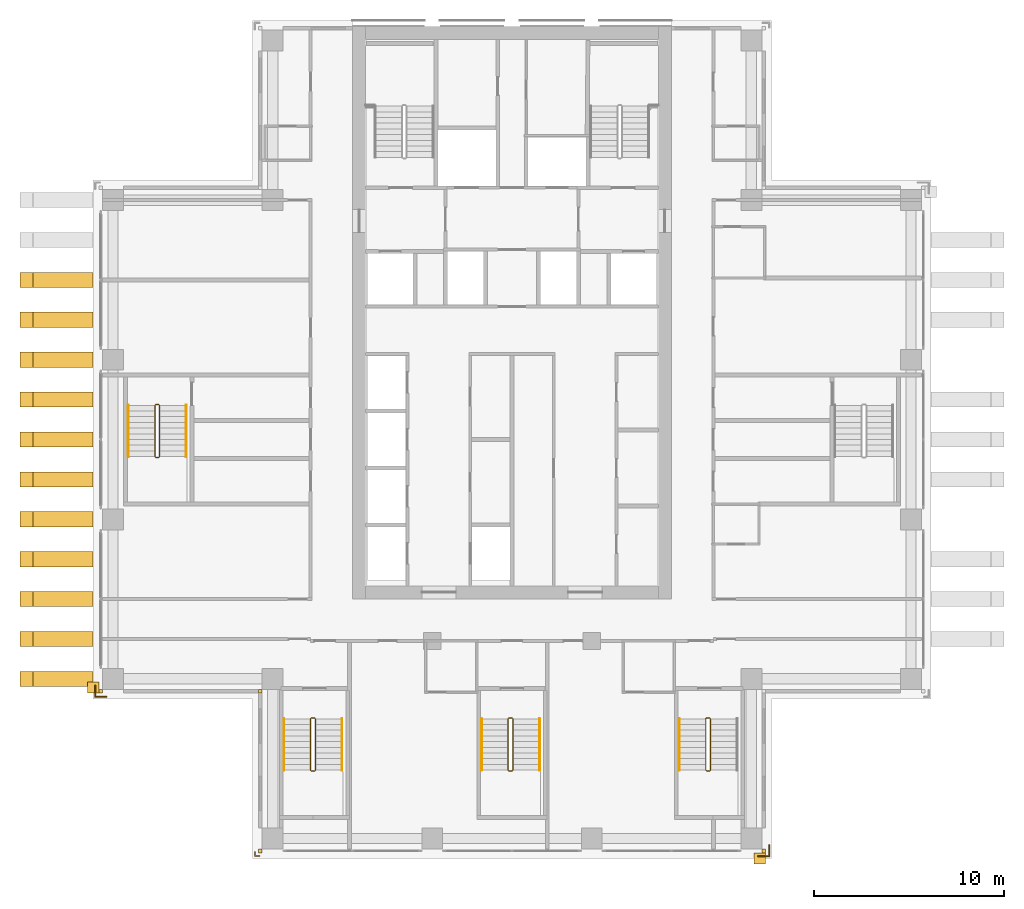
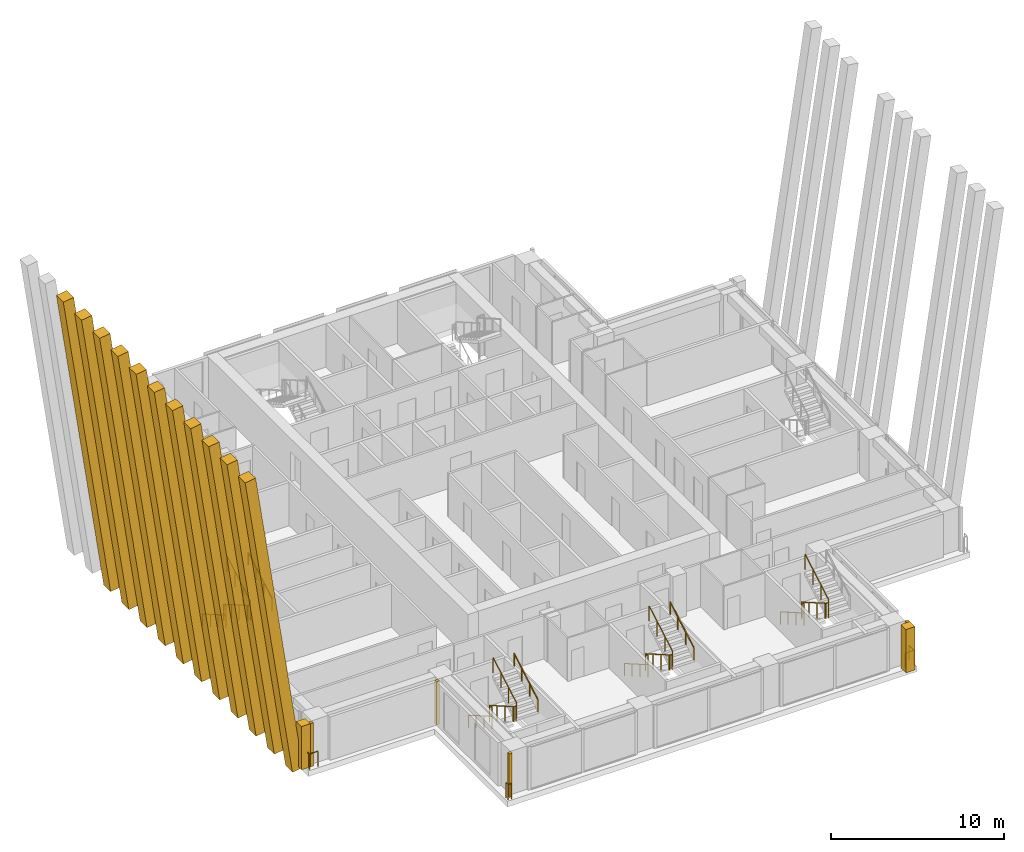
# One storey, part 13 of 15: 17 coverings, 14 railings.
"""IFC4 building model written with IfcOpenShell, lengths in metres."""

import ifcopenshell
import ifcopenshell.guid

model = None  # the IFC model being written
_history = None  # IfcOwnerHistory: only IFC2X3 demands one
_inside = {}  # id of a spatial element -> (the spatial element, [elements in it])
_under = {}  # id of a project, library or spatial element -> (it, [spatial elements below it])
_declared = {}  # id of a project -> (the project, [libraries it declares])
_typed = {}  # id of a type object -> (the type object, [elements of that type])
_made_of = {}  # id of a material, layer set ... -> (it, [elements and type objects made of it])


def new_model(schema):
    """Start an empty IFC model of exactly this schema.

    Asked for "IFC4X3", IfcOpenShell would pick the latest addendum, in which some entities
    have other attributes; the version numbers below select the first issue.
    IFC2X3 requires an IfcOwnerHistory on every rooted entity: one is made here for all.
    """
    global model, _history
    if schema == "IFC4X3":
        model = ifcopenshell.file(schema_version=(4, 3, 0, 0))
    else:
        model = ifcopenshell.file(schema=schema)
    _inside.clear()
    _under.clear()
    _declared.clear()
    _typed.clear()
    _made_of.clear()
    _history = None
    if model.schema == "IFC2X3":
        org = make("IfcOrganization", Name="unknown")
        user = make(
            "IfcPersonAndOrganization",
            ThePerson=make("IfcPerson", FamilyName="unknown"),
            TheOrganization=org,
        )
        app = make(
            "IfcApplication",
            ApplicationDeveloper=org,
            Version="unknown",
            ApplicationFullName="unknown",
            ApplicationIdentifier="unknown",
        )
        _history = make(
            "IfcOwnerHistory",
            OwningUser=user,
            OwningApplication=app,
            ChangeAction="ADDED",
            CreationDate=0,
        )
    return model


def make(cls, **values):
    """One entity of the class cls with the attributes given. An attribute that is None is left unset."""
    return model.create_entity(
        cls, **{name: value for name, value in values.items() if value is not None}
    )


def rooted(cls, **values):
    """An entity with a GlobalId (a new one), such as an element, a storey or a relation."""
    return make(cls, GlobalId=ifcopenshell.guid.new(), OwnerHistory=_history, **values)


def si_unit(unit_type, name, prefix=None):
    """IfcSIUnit, for example si_unit("LENGTHUNIT", "METRE", prefix="MILLI")."""
    return make("IfcSIUnit", UnitType=unit_type, Prefix=prefix, Name=name)


def assignment(units):
    """IfcUnitAssignment: the units of a project."""
    return None if units is None else make("IfcUnitAssignment", Units=units)


def point(xyz):
    """IfcCartesianPoint."""
    return None if xyz is None else make("IfcCartesianPoint", Coordinates=xyz)


def direction(xyz):
    """IfcDirection."""
    return None if xyz is None else make("IfcDirection", DirectionRatios=xyz)


def frame(location, z_axis=None, x_axis=None):
    """IfcAxis2Placement3D, a coordinate frame: its origin and axes. An axis left out is left unset."""
    return make(
        "IfcAxis2Placement3D",
        Location=point(location),
        Axis=direction(z_axis),
        RefDirection=direction(x_axis),
    )


def frame_2d(location, x_axis=None):
    """IfcAxis2Placement2D, a coordinate frame in the plane: its origin and x axis."""
    return make(
        "IfcAxis2Placement2D", Location=point(location), RefDirection=direction(x_axis)
    )


def origin():
    """The frame at (0, 0, 0) with its axes left unset."""
    return frame((0.0, 0.0, 0.0))


def origin_2d():
    """The frame at (0, 0) in the plane with its x axis left unset."""
    return frame_2d((0.0, 0.0))


def place(relative_to, where):
    """IfcLocalPlacement: puts the frame where relative to a parent placement (None: the world)."""
    return make(
        "IfcLocalPlacement", PlacementRelTo=relative_to, RelativePlacement=where
    )


def context(
    kind, dimensions, precision=None, world=None, true_north=None, identifier=None
):
    """IfcGeometricRepresentationContext, for example the 3D "Model" context."""
    return make(
        "IfcGeometricRepresentationContext",
        ContextIdentifier=identifier,
        ContextType=kind,
        CoordinateSpaceDimension=dimensions,
        Precision=precision,
        WorldCoordinateSystem=world,
        TrueNorth=true_north,
    )


def subcontext(parent, identifier, kind, view, scale=None):
    """IfcGeometricRepresentationSubContext, for example "Body" below "Model"."""
    return make(
        "IfcGeometricRepresentationSubContext",
        ContextIdentifier=identifier,
        ContextType=kind,
        ParentContext=parent,
        TargetScale=scale,
        TargetView=view,
    )


def project(units=None, contexts=None):
    """IfcProject with its units and contexts."""
    return rooted(
        "IfcProject",
        Name="project",
        RepresentationContexts=contexts,
        UnitsInContext=assignment(units),
    )


def spatial(cls, under=None, at=None, **own):
    """A site, building, storey or space (cls), placed at a placement, below another one or the project."""
    s = rooted(cls, ObjectPlacement=at, **own)
    if under is not None:
        _under.setdefault(under.id(), (under, []))[1].append(s)
    return s


def polyline(points):
    """IfcPolyline through the points."""
    return make("IfcPolyline", Points=[point(p) for p in points])


def profile(cls, at=None, kind="AREA", **sizes):
    """A parametric profile (cls). Its sizes go by their IFC names, for example OverallWidth=200.0."""
    return make(cls, ProfileType=kind, Position=at, **sizes)


def rectangle(**sizes):
    """IfcRectangleProfileDef."""
    return profile("IfcRectangleProfileDef", **sizes)


def outline(outer, holes=None, kind="AREA"):
    """IfcArbitraryClosedProfileDef: a profile drawn as a closed curve; with holes, ...WithVoids."""
    if holes is None:
        return make("IfcArbitraryClosedProfileDef", ProfileType=kind, OuterCurve=outer)
    return make(
        "IfcArbitraryProfileDefWithVoids",
        ProfileType=kind,
        OuterCurve=outer,
        InnerCurves=holes,
    )


def extrude(swept, where, along, depth):
    """IfcExtrudedAreaSolid: the profile swept, set in the frame where, extruded along a direction by depth."""
    return make(
        "IfcExtrudedAreaSolid",
        SweptArea=swept,
        Position=where,
        ExtrudedDirection=direction(along),
        Depth=depth,
    )


def shape(context_of_items, identifier, shape_type, items):
    """IfcShapeRepresentation: the items that make up one representation, for example the "Body"."""
    return make(
        "IfcShapeRepresentation",
        ContextOfItems=context_of_items,
        RepresentationIdentifier=identifier,
        RepresentationType=shape_type,
        Items=items,
    )


def material(Name=None, Category=None):
    """IfcMaterial."""
    return make("IfcMaterial", Name=Name, Category=Category)


def material_profile(
    of_material, cross_section, Name=None, Category=None, Priority=None
):
    """IfcMaterialProfile: a cross section and its material."""
    return make(
        "IfcMaterialProfile",
        Name=Name,
        Material=of_material,
        Profile=cross_section,
        Priority=Priority,
        Category=Category,
    )


def profile_set(profiles, Name=None, composite=None):
    """IfcMaterialProfileSet."""
    return make(
        "IfcMaterialProfileSet",
        Name=Name,
        MaterialProfiles=profiles,
        CompositeProfile=composite,
    )


def made_of(thing, what):
    """Note that an element or type object is made of a material, layer set ...; save() writes the relation."""
    if what is not None:
        _made_of.setdefault(what.id(), (what, []))[1].append(thing)
    return thing


def type_object(cls, material=None, **own):
    """A type object (cls), such as IfcWallType, which elements share."""
    return made_of(rooted(cls, **own), material)


def element(
    cls,
    number,
    at=None,
    inside=None,
    cuts=None,
    type_object=None,
    material=None,
    context=None,
    identifier="Body",
    shape_type=None,
    held_by="IfcProductDefinitionShape",
    body=None,
    shapes=None,
    **own,
):
    """One element of the class cls, such as IfcWall. Its Tag is "e" and its number.

    at: its placement. inside: the storey or other place that contains it. cuts: it is an
    opening in that element (IfcRelVoidsElement). A single representation is given by context,
    identifier, shape_type and body (its items); several are given by shapes. held_by: the class
    of the entity that holds the representations. save() writes the other relations.
    """
    e = rooted(cls, Tag="e%d" % number, ObjectPlacement=at, **own)
    if body is not None:
        shapes = [shape(context, identifier, shape_type, body)]
    if shapes is not None:
        e.Representation = make(held_by, Representations=shapes)
    if inside is not None:
        _inside.setdefault(inside.id(), (inside, []))[1].append(e)
    if cuts is not None:
        rooted(
            "IfcRelVoidsElement", RelatingBuildingElement=cuts, RelatedOpeningElement=e
        )
    if type_object is not None:
        _typed.setdefault(type_object.id(), (type_object, []))[1].append(e)
    return made_of(e, material)


def aggregate(whole, parts):
    """IfcRelAggregates: a whole, such as a stair, and the parts it consists of."""
    return rooted("IfcRelAggregates", RelatingObject=whole, RelatedObjects=parts)


def save(model, path):
    """Write the relations noted so far, then the file.

    IfcRelAggregates (storeys below a building ...), IfcRelContainedInSpatialStructure (elements
    in a storey), IfcRelDefinesByType, IfcRelAssociatesMaterial and IfcRelDeclares: one each for
    every whole, place, type object, material and project.
    """
    for whole, parts in _under.values():
        aggregate(whole, parts)
    for where, things in _inside.values():
        rooted(
            "IfcRelContainedInSpatialStructure",
            RelatedElements=things,
            RelatingStructure=where,
        )
    for kind, things in _typed.values():
        rooted("IfcRelDefinesByType", RelatedObjects=things, RelatingType=kind)
    for what, things in _made_of.values():
        rooted("IfcRelAssociatesMaterial", RelatedObjects=things, RelatingMaterial=what)
    for by, libraries in _declared.values():
        rooted("IfcRelDeclares", RelatingContext=by, RelatedDefinitions=libraries)
    model.write(path)


model = new_model("IFC4")

# Units and contexts
model_context = context("Model", 3, precision=1e-05, world=origin(), true_north=direction((0.0, 1.0)))
body_context = subcontext(model_context, "Body", "Model", "MODEL_VIEW")
ifc_project = project(units=[si_unit("LENGTHUNIT", "METRE"), si_unit("AREAUNIT", "SQUARE_METRE"), si_unit("VOLUMEUNIT", "CUBIC_METRE"), si_unit("PLANEANGLEUNIT", "RADIAN"), si_unit("MASSUNIT", "GRAM", prefix="KILO")], contexts=[model_context])

# Site, building, storey
site_placement = place(None, origin())
site = spatial("IfcSite", under=ifc_project, at=site_placement, CompositionType="ELEMENT")
building_placement = place(site_placement, origin())
building = spatial("IfcBuilding", under=site, at=building_placement, Name="Vermilion Ogive Tower", CompositionType="ELEMENT")
storey_placement = place(building_placement, frame((0.0, 0.0, 153.800048828125)))
storey = spatial("IfcBuildingStorey", under=building, at=storey_placement, Name="L39", CompositionType="ELEMENT", Elevation=153.800048828125)

# Railings
ifc_material_1 = material(Name="Stainless steel", Category="steel")
railing_type_1 = type_object("IfcRailingType", Name="Slab edge guard SG1", PredefinedType="GUARDRAIL", material=ifc_material_1)
railing_1_placement = place(storey_placement, frame((-13.300048828125, -21.929931640625, 0.0)))
element("IfcRailing", 1, at=railing_1_placement, inside=storey, type_object=railing_type_1, Name="L39 slab corner guard", PredefinedType="GUARDRAIL", context=body_context, shape_type="SweptSolid", body=[
    extrude(rectangle(XDim=0.050048828125, YDim=0.050048828125, at=origin_2d()), frame((0.0, 0.0, 1.0751953125), z_axis=(-1.0, 0.0, 0.0), x_axis=(0.0, -1.0, 0.0)), (0.0, 0.0, 1.0), 0.22998046875),
    extrude(rectangle(XDim=0.050048828125, YDim=0.050048828125, at=origin_2d()), frame((-0.22998046875, 0.0, 1.0751953125), z_axis=(0.0, 1.0, 0.0), x_axis=(-1.0, 0.0, 0.0)), (0.0, 0.0, 1.0), 0.22998046875),
    extrude(rectangle(XDim=0.050048828125, YDim=0.050048828125, at=origin_2d()), origin(), (0.0, 0.0, 1.0), 1.050048828125),
    extrude(rectangle(XDim=0.050048828125, YDim=0.050048828125, at=origin_2d()), frame((-0.22998046875, 0.0, 0.0)), (0.0, 0.0, 1.0), 1.050048828125),
    extrude(rectangle(XDim=0.050048828125, YDim=0.050048828125, at=origin_2d()), frame((-0.22998046875, 0.22998046875, 0.0)), (0.0, 0.0, 1.0), 1.050048828125),
])
railing_2_placement = place(storey_placement, frame((12.949951171875, -21.929931640625, 0.0)))
element("IfcRailing", 2, at=railing_2_placement, inside=storey, type_object=railing_type_1, Name="L39 slab corner guard", PredefinedType="GUARDRAIL", context=body_context, shape_type="SweptSolid", body=[
    extrude(rectangle(XDim=0.050048828125, YDim=0.050048828125, at=origin_2d()), frame((0.0, 0.0, 1.0751953125), z_axis=(1.0, 0.0, 0.0), x_axis=(0.0, 1.0, 0.0)), (0.0, 0.0, 1.0), 0.580078125),
    extrude(rectangle(XDim=0.050048828125, YDim=0.050048828125, at=origin_2d()), frame((0.580078125, 0.0, 1.0751953125), z_axis=(0.0, 1.0, 0.0), x_axis=(-1.0, 0.0, 0.0)), (0.0, 0.0, 1.0), 0.579833984375),
    extrude(rectangle(XDim=0.050048828125, YDim=0.050048828125, at=origin_2d()), origin(), (0.0, 0.0, 1.0), 1.050048828125),
    extrude(rectangle(XDim=0.050048828125, YDim=0.050048828125, at=origin_2d()), frame((0.580078125, 0.0, 0.0)), (0.0, 0.0, 1.0), 1.050048828125),
    extrude(rectangle(XDim=0.050048828125, YDim=0.050048828125, at=origin_2d()), frame((0.580078125, 0.579833984375, 0.0)), (0.0, 0.0, 1.0), 1.050048828125),
])
railing_3_placement = place(storey_placement, frame((-21.929931640625, -12.949951171875, 0.0)))
element("IfcRailing", 3, at=railing_3_placement, inside=storey, type_object=railing_type_1, Name="L39 slab corner guard", PredefinedType="GUARDRAIL", context=body_context, shape_type="SweptSolid", body=[
    extrude(rectangle(XDim=0.050048828125, YDim=0.050048828125, at=origin_2d()), frame((0.0, 0.0, 1.0751953125), z_axis=(0.0, -1.0, 0.0), x_axis=(1.0, 0.0, 0.0)), (0.0, 0.0, 1.0), 0.580078125),
    extrude(rectangle(XDim=0.050048828125, YDim=0.050048828125, at=origin_2d()), frame((0.0, -0.580078125, 1.0751953125), z_axis=(1.0, 0.0, 0.0), x_axis=(0.0, 1.0, 0.0)), (0.0, 0.0, 1.0), 0.579833984375),
    extrude(rectangle(XDim=0.050048828125, YDim=0.050048828125, at=origin_2d()), origin(), (0.0, 0.0, 1.0), 1.050048828125),
    extrude(rectangle(XDim=0.050048828125, YDim=0.050048828125, at=origin_2d()), frame((0.0, -0.580078125, 0.0)), (0.0, 0.0, 1.0), 1.050048828125),
    extrude(rectangle(XDim=0.050048828125, YDim=0.050048828125, at=origin_2d()), frame((0.579833984375, -0.580078125, 0.0)), (0.0, 0.0, 1.0), 1.050048828125),
])
ifc_material_2 = material(Name="Steel S355 painted", Category="steel")
railing_type_2 = type_object("IfcRailingType", Name="Stair guard 1100", PredefinedType="GUARDRAIL", material=ifc_material_2)
railing_4_placement = place(storey_placement, frame((-10.39990234375, -14.64990234375, 0.0)))
element("IfcRailing", 4, at=railing_4_placement, inside=storey, type_object=railing_type_2, Name="L39 ST3 stair guard 4", PredefinedType="GUARDRAIL", context=body_context, shape_type="SweptSolid", body=[
    extrude(rectangle(XDim=0.048095703125, YDim=0.048095703125, at=origin_2d()), frame((0.0, 0.0, 1.076171875), z_axis=(-1.0, 0.0, 0.0), x_axis=(0.0, -1.0, 0.0)), (0.0, 0.0, 1.0), 0.150146484375),
    extrude(rectangle(XDim=0.048095703125, YDim=0.048095703125, at=origin_2d()), frame((-0.150146484375, 0.0, 1.076171875), z_axis=(-0.268603158521, -0.268603158521, 0.925043072762), x_axis=(0.707106781187, -0.707106781187, 0.0)), (0.0, 0.0, 1.0), 0.186279296875),
    extrude(rectangle(XDim=0.048095703125, YDim=0.048095703125, at=origin_2d()), frame((-0.2001953125, -0.050048828125, 1.24853515625), z_axis=(0.0, -0.866903762492, 0.498475542607), x_axis=(1.0, 0.0, 0.0)), (0.0, 0.0, 1.0), 3.114501953125),
    extrude(rectangle(XDim=0.048095703125, YDim=0.048095703125, at=origin_2d()), frame((-0.2001953125, -2.75, 2.80078125), z_axis=(0.707106781187, -0.707106781187, 0.0), x_axis=(0.707106781187, 0.707106781187, 0.0)), (0.0, 0.0, 1.0), 0.07080078125),
    extrude(rectangle(XDim=0.048095703125, YDim=0.048095703125, at=origin_2d()), frame((-0.150146484375, -2.800048828125, 2.80078125), z_axis=(1.0, 0.0, 0.0), x_axis=(0.0, 1.0, 0.0)), (0.0, 0.0, 1.0), 0.150146484375),
    extrude(rectangle(XDim=0.048095703125, YDim=0.048095703125, at=origin_2d()), frame((0.0, -2.800048828125, 2.80078125), z_axis=(0.267062837333, 0.268371968888, 0.925556009775), x_axis=(-0.708833529934, 0.705375805398, 0.0)), (0.0, 0.0, 1.0), 0.1865234375),
    extrude(rectangle(XDim=0.048095703125, YDim=0.048095703125, at=origin_2d()), frame((0.0498046875, -2.75, 2.9736328125), z_axis=(0.0, 0.866903762492, 0.498475542607), x_axis=(-1.0, 0.0, 0.0)), (0.0, 0.0, 1.0), 3.114501953125),
    extrude(rectangle(XDim=0.0419921875, YDim=0.0419921875, at=origin_2d()), origin(), (0.0, 0.0, 1.0), 1.052001953125),
    extrude(rectangle(XDim=0.0419921875, YDim=0.0419921875, at=origin_2d()), frame((-0.150146484375, 0.0, 0.0)), (0.0, 0.0, 1.0), 1.052001953125),
    extrude(rectangle(XDim=0.0419921875, YDim=0.0419921875, at=origin_2d()), frame((-0.2001953125, -0.050048828125, 0.17236328125)), (0.0, 0.0, 1.0), 1.052001953125),
    extrude(rectangle(XDim=0.0419921875, YDim=0.0419921875, at=origin_2d()), frame((-0.2001953125, -0.949951171875, 0.68994140625)), (0.0, 0.0, 1.0), 1.052001953125),
    extrude(rectangle(XDim=0.0419921875, YDim=0.0419921875, at=origin_2d()), frame((-0.2001953125, -1.85009765625, 1.207275390625)), (0.0, 0.0, 1.0), 1.052001953125),
    extrude(rectangle(XDim=0.0419921875, YDim=0.0419921875, at=origin_2d()), frame((-0.2001953125, -2.75, 1.724853515625)), (0.0, 0.0, 1.0), 1.052001953125),
    extrude(rectangle(XDim=0.0419921875, YDim=0.0419921875, at=origin_2d()), frame((-0.150146484375, -2.800048828125, 1.724853515625)), (0.0, 0.0, 1.0), 1.052001953125),
    extrude(rectangle(XDim=0.0419921875, YDim=0.0419921875, at=origin_2d()), frame((0.0, -2.800048828125, 1.724853515625)), (0.0, 0.0, 1.0), 1.052001953125),
    extrude(rectangle(XDim=0.0419921875, YDim=0.0419921875, at=origin_2d()), frame((0.0498046875, -2.75, 1.8974609375)), (0.0, 0.0, 1.0), 1.052001953125),
    extrude(rectangle(XDim=0.0419921875, YDim=0.0419921875, at=origin_2d()), frame((0.0498046875, -1.85009765625, 2.4150390625)), (0.0, 0.0, 1.0), 1.052001953125),
    extrude(rectangle(XDim=0.0419921875, YDim=0.0419921875, at=origin_2d()), frame((0.0498046875, -0.949951171875, 2.932373046875)), (0.0, 0.0, 1.0), 1.052001953125),
    extrude(rectangle(XDim=0.0419921875, YDim=0.0419921875, at=origin_2d()), frame((0.0498046875, -0.050048828125, 3.449951171875)), (0.0, 0.0, 1.0), 1.052001953125),
])
railing_5_placement = place(storey_placement, frame((0.0, -14.64990234375, 0.0)))
element("IfcRailing", 5, at=railing_5_placement, inside=storey, type_object=railing_type_2, Name="L39 ST4 stair guard 4", PredefinedType="GUARDRAIL", context=body_context, shape_type="SweptSolid", body=[
    extrude(rectangle(XDim=0.048095703125, YDim=0.048095703125, at=origin_2d()), frame((0.0, 0.0, 1.076171875), z_axis=(-1.0, 0.0, 0.0), x_axis=(0.0, -1.0, 0.0)), (0.0, 0.0, 1.0), 0.14990234375),
    extrude(rectangle(XDim=0.048095703125, YDim=0.048095703125, at=origin_2d()), frame((-0.14990234375, 0.0, 1.076171875), z_axis=(-0.268603158521, -0.268603158521, 0.925043072762), x_axis=(0.707106781187, -0.707106781187, 0.0)), (0.0, 0.0, 1.0), 0.186279296875),
    extrude(rectangle(XDim=0.048095703125, YDim=0.048095703125, at=origin_2d()), frame((-0.199951171875, -0.050048828125, 1.24853515625), z_axis=(0.0, -0.866903762492, 0.498475542607), x_axis=(1.0, 0.0, 0.0)), (0.0, 0.0, 1.0), 3.114501953125),
    extrude(rectangle(XDim=0.048095703125, YDim=0.048095703125, at=origin_2d()), frame((-0.199951171875, -2.75, 2.80078125), z_axis=(0.707106781187, -0.707106781187, 0.0), x_axis=(0.707106781187, 0.707106781187, 0.0)), (0.0, 0.0, 1.0), 0.07080078125),
    extrude(rectangle(XDim=0.048095703125, YDim=0.048095703125, at=origin_2d()), frame((-0.14990234375, -2.800048828125, 2.80078125), z_axis=(1.0, 0.0, 0.0), x_axis=(0.0, 1.0, 0.0)), (0.0, 0.0, 1.0), 0.14990234375),
    extrude(rectangle(XDim=0.048095703125, YDim=0.048095703125, at=origin_2d()), frame((0.0, -2.800048828125, 2.80078125), z_axis=(0.268277960024, 0.268277960024, 0.925231793839), x_axis=(-0.707106781187, 0.707106781187, 0.0)), (0.0, 0.0, 1.0), 0.1865234375),
    extrude(rectangle(XDim=0.048095703125, YDim=0.048095703125, at=origin_2d()), frame((0.050048828125, -2.75, 2.9736328125), z_axis=(0.0, 0.866903762492, 0.498475542607), x_axis=(-1.0, 0.0, 0.0)), (0.0, 0.0, 1.0), 3.114501953125),
    extrude(rectangle(XDim=0.0419921875, YDim=0.0419921875, at=origin_2d()), origin(), (0.0, 0.0, 1.0), 1.052001953125),
    extrude(rectangle(XDim=0.0419921875, YDim=0.0419921875, at=origin_2d()), frame((-0.14990234375, 0.0, 0.0)), (0.0, 0.0, 1.0), 1.052001953125),
    extrude(rectangle(XDim=0.0419921875, YDim=0.0419921875, at=origin_2d()), frame((-0.199951171875, -0.050048828125, 0.17236328125)), (0.0, 0.0, 1.0), 1.052001953125),
    extrude(rectangle(XDim=0.0419921875, YDim=0.0419921875, at=origin_2d()), frame((-0.199951171875, -0.949951171875, 0.68994140625)), (0.0, 0.0, 1.0), 1.052001953125),
    extrude(rectangle(XDim=0.0419921875, YDim=0.0419921875, at=origin_2d()), frame((-0.199951171875, -1.85009765625, 1.207275390625)), (0.0, 0.0, 1.0), 1.052001953125),
    extrude(rectangle(XDim=0.0419921875, YDim=0.0419921875, at=origin_2d()), frame((-0.199951171875, -2.75, 1.724853515625)), (0.0, 0.0, 1.0), 1.052001953125),
    extrude(rectangle(XDim=0.0419921875, YDim=0.0419921875, at=origin_2d()), frame((-0.14990234375, -2.800048828125, 1.724853515625)), (0.0, 0.0, 1.0), 1.052001953125),
    extrude(rectangle(XDim=0.0419921875, YDim=0.0419921875, at=origin_2d()), frame((0.0, -2.800048828125, 1.724853515625)), (0.0, 0.0, 1.0), 1.052001953125),
    extrude(rectangle(XDim=0.0419921875, YDim=0.0419921875, at=origin_2d()), frame((0.050048828125, -2.75, 1.8974609375)), (0.0, 0.0, 1.0), 1.052001953125),
    extrude(rectangle(XDim=0.0419921875, YDim=0.0419921875, at=origin_2d()), frame((0.050048828125, -1.85009765625, 2.4150390625)), (0.0, 0.0, 1.0), 1.052001953125),
    extrude(rectangle(XDim=0.0419921875, YDim=0.0419921875, at=origin_2d()), frame((0.050048828125, -0.949951171875, 2.932373046875)), (0.0, 0.0, 1.0), 1.052001953125),
    extrude(rectangle(XDim=0.0419921875, YDim=0.0419921875, at=origin_2d()), frame((0.050048828125, -0.050048828125, 3.449951171875)), (0.0, 0.0, 1.0), 1.052001953125),
])
railing_6_placement = place(storey_placement, frame((10.39990234375, -14.64990234375, 0.0)))
element("IfcRailing", 6, at=railing_6_placement, inside=storey, type_object=railing_type_2, Name="L39 ST5 stair guard 4", PredefinedType="GUARDRAIL", context=body_context, shape_type="SweptSolid", body=[
    extrude(rectangle(XDim=0.048095703125, YDim=0.048095703125, at=origin_2d()), frame((0.0, 0.0, 1.076171875), z_axis=(-1.0, 0.0, 0.0), x_axis=(0.0, -1.0, 0.0)), (0.0, 0.0, 1.0), 0.14990234375),
    extrude(rectangle(XDim=0.048095703125, YDim=0.048095703125, at=origin_2d()), frame((-0.14990234375, 0.0, 1.076171875), z_axis=(-0.268603158521, -0.268603158521, 0.925043072762), x_axis=(0.707106781187, -0.707106781187, 0.0)), (0.0, 0.0, 1.0), 0.186279296875),
    extrude(rectangle(XDim=0.048095703125, YDim=0.048095703125, at=origin_2d()), frame((-0.199951171875, -0.050048828125, 1.24853515625), z_axis=(0.0, -0.866903762492, 0.498475542607), x_axis=(1.0, 0.0, 0.0)), (0.0, 0.0, 1.0), 3.114501953125),
    extrude(rectangle(XDim=0.048095703125, YDim=0.048095703125, at=origin_2d()), frame((-0.199951171875, -2.75, 2.80078125), z_axis=(0.707106781187, -0.707106781187, 0.0), x_axis=(0.707106781187, 0.707106781187, 0.0)), (0.0, 0.0, 1.0), 0.07080078125),
    extrude(rectangle(XDim=0.048095703125, YDim=0.048095703125, at=origin_2d()), frame((-0.14990234375, -2.800048828125, 2.80078125), z_axis=(1.0, 0.0, 0.0), x_axis=(0.0, 1.0, 0.0)), (0.0, 0.0, 1.0), 0.14990234375),
    extrude(rectangle(XDim=0.048095703125, YDim=0.048095703125, at=origin_2d()), frame((0.0, -2.800048828125, 2.80078125), z_axis=(0.268277960024, 0.268277960024, 0.925231793839), x_axis=(-0.707106781187, 0.707106781187, 0.0)), (0.0, 0.0, 1.0), 0.1865234375),
    extrude(rectangle(XDim=0.048095703125, YDim=0.048095703125, at=origin_2d()), frame((0.050048828125, -2.75, 2.9736328125), z_axis=(0.0, 0.866903762492, 0.498475542607), x_axis=(-1.0, 0.0, 0.0)), (0.0, 0.0, 1.0), 3.114501953125),
    extrude(rectangle(XDim=0.0419921875, YDim=0.0419921875, at=origin_2d()), origin(), (0.0, 0.0, 1.0), 1.052001953125),
    extrude(rectangle(XDim=0.0419921875, YDim=0.0419921875, at=origin_2d()), frame((-0.14990234375, 0.0, 0.0)), (0.0, 0.0, 1.0), 1.052001953125),
    extrude(rectangle(XDim=0.0419921875, YDim=0.0419921875, at=origin_2d()), frame((-0.199951171875, -0.050048828125, 0.17236328125)), (0.0, 0.0, 1.0), 1.052001953125),
    extrude(rectangle(XDim=0.0419921875, YDim=0.0419921875, at=origin_2d()), frame((-0.199951171875, -0.949951171875, 0.68994140625)), (0.0, 0.0, 1.0), 1.052001953125),
    extrude(rectangle(XDim=0.0419921875, YDim=0.0419921875, at=origin_2d()), frame((-0.199951171875, -1.85009765625, 1.207275390625)), (0.0, 0.0, 1.0), 1.052001953125),
    extrude(rectangle(XDim=0.0419921875, YDim=0.0419921875, at=origin_2d()), frame((-0.199951171875, -2.75, 1.724853515625)), (0.0, 0.0, 1.0), 1.052001953125),
    extrude(rectangle(XDim=0.0419921875, YDim=0.0419921875, at=origin_2d()), frame((-0.14990234375, -2.800048828125, 1.724853515625)), (0.0, 0.0, 1.0), 1.052001953125),
    extrude(rectangle(XDim=0.0419921875, YDim=0.0419921875, at=origin_2d()), frame((0.0, -2.800048828125, 1.724853515625)), (0.0, 0.0, 1.0), 1.052001953125),
    extrude(rectangle(XDim=0.0419921875, YDim=0.0419921875, at=origin_2d()), frame((0.050048828125, -2.75, 1.8974609375)), (0.0, 0.0, 1.0), 1.052001953125),
    extrude(rectangle(XDim=0.0419921875, YDim=0.0419921875, at=origin_2d()), frame((0.050048828125, -1.85009765625, 2.4150390625)), (0.0, 0.0, 1.0), 1.052001953125),
    extrude(rectangle(XDim=0.0419921875, YDim=0.0419921875, at=origin_2d()), frame((0.050048828125, -0.949951171875, 2.932373046875)), (0.0, 0.0, 1.0), 1.052001953125),
    extrude(rectangle(XDim=0.0419921875, YDim=0.0419921875, at=origin_2d()), frame((0.050048828125, -0.050048828125, 3.449951171875)), (0.0, 0.0, 1.0), 1.052001953125),
])
railing_7_placement = place(storey_placement, frame((-18.60009765625, 1.85009765625, 0.0)))
element("IfcRailing", 7, at=railing_7_placement, inside=storey, type_object=railing_type_2, Name="L39 ST9 stair guard 4", PredefinedType="GUARDRAIL", context=body_context, shape_type="SweptSolid", body=[
    extrude(rectangle(XDim=0.048095703125, YDim=0.048095703125, at=origin_2d()), frame((0.0, 0.0, 1.076171875), z_axis=(-1.0, 0.0, 0.0), x_axis=(0.0, -1.0, 0.0)), (0.0, 0.0, 1.0), 0.14990234375),
    extrude(rectangle(XDim=0.048095703125, YDim=0.048095703125, at=origin_2d()), frame((-0.14990234375, 0.0, 1.076171875), z_axis=(-0.268603158521, -0.268603158521, 0.925043072762), x_axis=(0.707106781187, -0.707106781187, 0.0)), (0.0, 0.0, 1.0), 0.186279296875),
    extrude(rectangle(XDim=0.048095703125, YDim=0.048095703125, at=origin_2d()), frame((-0.199951171875, -0.050048828125, 1.24853515625), z_axis=(0.0, -0.866903762492, 0.498475542607), x_axis=(1.0, 0.0, 0.0)), (0.0, 0.0, 1.0), 3.114501953125),
    extrude(rectangle(XDim=0.048095703125, YDim=0.048095703125, at=origin_2d()), frame((-0.199951171875, -2.75, 2.80078125), z_axis=(0.707106781187, -0.707106781187, 0.0), x_axis=(0.707106781187, 0.707106781187, 0.0)), (0.0, 0.0, 1.0), 0.07080078125),
    extrude(rectangle(XDim=0.048095703125, YDim=0.048095703125, at=origin_2d()), frame((-0.14990234375, -2.800048828125, 2.80078125), z_axis=(1.0, 0.0, 0.0), x_axis=(0.0, 1.0, 0.0)), (0.0, 0.0, 1.0), 0.14990234375),
    extrude(rectangle(XDim=0.048095703125, YDim=0.048095703125, at=origin_2d()), frame((0.0, -2.800048828125, 2.80078125), z_axis=(0.268277960024, 0.268277960024, 0.925231793839), x_axis=(-0.707106781187, 0.707106781187, 0.0)), (0.0, 0.0, 1.0), 0.1865234375),
    extrude(rectangle(XDim=0.048095703125, YDim=0.048095703125, at=origin_2d()), frame((0.050048828125, -2.75, 2.9736328125), z_axis=(0.0, 0.866903762492, 0.498475542607), x_axis=(-1.0, 0.0, 0.0)), (0.0, 0.0, 1.0), 3.114501953125),
    extrude(rectangle(XDim=0.0419921875, YDim=0.0419921875, at=origin_2d()), origin(), (0.0, 0.0, 1.0), 1.052001953125),
    extrude(rectangle(XDim=0.0419921875, YDim=0.0419921875, at=origin_2d()), frame((-0.14990234375, 0.0, 0.0)), (0.0, 0.0, 1.0), 1.052001953125),
    extrude(rectangle(XDim=0.0419921875, YDim=0.0419921875, at=origin_2d()), frame((-0.199951171875, -0.050048828125, 0.17236328125)), (0.0, 0.0, 1.0), 1.052001953125),
    extrude(rectangle(XDim=0.0419921875, YDim=0.0419921875, at=origin_2d()), frame((-0.199951171875, -0.949951171875, 0.68994140625)), (0.0, 0.0, 1.0), 1.052001953125),
    extrude(rectangle(XDim=0.0419921875, YDim=0.0419921875, at=origin_2d()), frame((-0.199951171875, -1.85009765625, 1.207275390625)), (0.0, 0.0, 1.0), 1.052001953125),
    extrude(rectangle(XDim=0.0419921875, YDim=0.0419921875, at=origin_2d()), frame((-0.199951171875, -2.75, 1.724853515625)), (0.0, 0.0, 1.0), 1.052001953125),
    extrude(rectangle(XDim=0.0419921875, YDim=0.0419921875, at=origin_2d()), frame((-0.14990234375, -2.800048828125, 1.724853515625)), (0.0, 0.0, 1.0), 1.052001953125),
    extrude(rectangle(XDim=0.0419921875, YDim=0.0419921875, at=origin_2d()), frame((0.0, -2.800048828125, 1.724853515625)), (0.0, 0.0, 1.0), 1.052001953125),
    extrude(rectangle(XDim=0.0419921875, YDim=0.0419921875, at=origin_2d()), frame((0.050048828125, -2.75, 1.8974609375)), (0.0, 0.0, 1.0), 1.052001953125),
    extrude(rectangle(XDim=0.0419921875, YDim=0.0419921875, at=origin_2d()), frame((0.050048828125, -1.85009765625, 2.4150390625)), (0.0, 0.0, 1.0), 1.052001953125),
    extrude(rectangle(XDim=0.0419921875, YDim=0.0419921875, at=origin_2d()), frame((0.050048828125, -0.949951171875, 2.932373046875)), (0.0, 0.0, 1.0), 1.052001953125),
    extrude(rectangle(XDim=0.0419921875, YDim=0.0419921875, at=origin_2d()), frame((0.050048828125, -0.050048828125, 3.449951171875)), (0.0, 0.0, 1.0), 1.052001953125),
])
ifc_material_3 = material(Name="Stainless steel", Category="steel")
railing_type_3 = type_object("IfcRailingType", Name="Stair handrail 900", PredefinedType="HANDRAIL", material=ifc_material_3)
railing_8_placement = place(storey_placement, frame((-12.0, -14.699951171875, 0.17236328125)))
element("IfcRailing", 8, at=railing_8_placement, inside=storey, type_object=railing_type_3, Name="L39 ST3 stair handrail 1", PredefinedType="HANDRAIL", context=body_context, shape_type="SweptSolid", body=[
    extrude(rectangle(XDim=0.048095703125, YDim=0.048095703125, at=origin_2d()), frame((0.0, 0.0, 0.8759765625), z_axis=(0.0, -0.866903762492, 0.498475542607), x_axis=(1.0, 0.0, 0.0)), (0.0, 0.0, 1.0), 3.114501953125),
    extrude(rectangle(XDim=0.0419921875, YDim=0.0419921875, at=origin_2d()), origin(), (0.0, 0.0, 1.0), 0.851806640625),
    extrude(rectangle(XDim=0.0419921875, YDim=0.0419921875, at=origin_2d()), frame((0.0, -0.89990234375, 0.517578125)), (0.0, 0.0, 1.0), 0.851806640625),
    extrude(rectangle(XDim=0.0419921875, YDim=0.0419921875, at=origin_2d()), frame((0.0, -1.800048828125, 1.034912109375)), (0.0, 0.0, 1.0), 0.851806640625),
    extrude(rectangle(XDim=0.0419921875, YDim=0.0419921875, at=origin_2d()), frame((0.0, -2.699951171875, 1.552490234375)), (0.0, 0.0, 1.0), 0.851806640625),
])
railing_9_placement = place(storey_placement, frame((-8.949951171875, -17.39990234375, 1.8974609375)))
element("IfcRailing", 9, at=railing_9_placement, inside=storey, type_object=railing_type_3, Name="L39 ST3 stair handrail 2", PredefinedType="HANDRAIL", context=body_context, shape_type="SweptSolid", body=[
    extrude(rectangle(XDim=0.048095703125, YDim=0.048095703125, at=origin_2d()), frame((0.0, 0.0, 0.8759765625), z_axis=(0.0, 0.866903762492, 0.498475542607), x_axis=(-1.0, 0.0, 0.0)), (0.0, 0.0, 1.0), 3.114501953125),
    extrude(rectangle(XDim=0.0419921875, YDim=0.0419921875, at=origin_2d()), origin(), (0.0, 0.0, 1.0), 0.851806640625),
    extrude(rectangle(XDim=0.0419921875, YDim=0.0419921875, at=origin_2d()), frame((0.0, 0.89990234375, 0.517578125)), (0.0, 0.0, 1.0), 0.851806640625),
    extrude(rectangle(XDim=0.0419921875, YDim=0.0419921875, at=origin_2d()), frame((0.0, 1.800048828125, 1.034912109375)), (0.0, 0.0, 1.0), 0.851806640625),
    extrude(rectangle(XDim=0.0419921875, YDim=0.0419921875, at=origin_2d()), frame((0.0, 2.699951171875, 1.552490234375)), (0.0, 0.0, 1.0), 0.851806640625),
])
railing_10_placement = place(storey_placement, frame((-1.60009765625, -14.699951171875, 0.17236328125)))
element("IfcRailing", 10, at=railing_10_placement, inside=storey, type_object=railing_type_3, Name="L39 ST4 stair handrail 1", PredefinedType="HANDRAIL", context=body_context, shape_type="SweptSolid", body=[
    extrude(rectangle(XDim=0.048095703125, YDim=0.048095703125, at=origin_2d()), frame((0.0, 0.0, 0.8759765625), z_axis=(0.0, -0.866903762492, 0.498475542607), x_axis=(1.0, 0.0, 0.0)), (0.0, 0.0, 1.0), 3.114501953125),
    extrude(rectangle(XDim=0.0419921875, YDim=0.0419921875, at=origin_2d()), origin(), (0.0, 0.0, 1.0), 0.851806640625),
    extrude(rectangle(XDim=0.0419921875, YDim=0.0419921875, at=origin_2d()), frame((0.0, -0.89990234375, 0.517578125)), (0.0, 0.0, 1.0), 0.851806640625),
    extrude(rectangle(XDim=0.0419921875, YDim=0.0419921875, at=origin_2d()), frame((0.0, -1.800048828125, 1.034912109375)), (0.0, 0.0, 1.0), 0.851806640625),
    extrude(rectangle(XDim=0.0419921875, YDim=0.0419921875, at=origin_2d()), frame((0.0, -2.699951171875, 1.552490234375)), (0.0, 0.0, 1.0), 0.851806640625),
])
railing_11_placement = place(storey_placement, frame((1.449951171875, -17.39990234375, 1.8974609375)))
element("IfcRailing", 11, at=railing_11_placement, inside=storey, type_object=railing_type_3, Name="L39 ST4 stair handrail 2", PredefinedType="HANDRAIL", context=body_context, shape_type="SweptSolid", body=[
    extrude(rectangle(XDim=0.048095703125, YDim=0.048095703125, at=origin_2d()), frame((0.0, 0.0, 0.8759765625), z_axis=(0.0, 0.866903762492, 0.498475542607), x_axis=(-1.0, 0.0, 0.0)), (0.0, 0.0, 1.0), 3.114501953125),
    extrude(rectangle(XDim=0.0419921875, YDim=0.0419921875, at=origin_2d()), origin(), (0.0, 0.0, 1.0), 0.851806640625),
    extrude(rectangle(XDim=0.0419921875, YDim=0.0419921875, at=origin_2d()), frame((0.0, 0.89990234375, 0.517578125)), (0.0, 0.0, 1.0), 0.851806640625),
    extrude(rectangle(XDim=0.0419921875, YDim=0.0419921875, at=origin_2d()), frame((0.0, 1.800048828125, 1.034912109375)), (0.0, 0.0, 1.0), 0.851806640625),
    extrude(rectangle(XDim=0.0419921875, YDim=0.0419921875, at=origin_2d()), frame((0.0, 2.699951171875, 1.552490234375)), (0.0, 0.0, 1.0), 0.851806640625),
])
for number, where, name in (
    (12, (8.800048828125, -14.699951171875, 0.17236328125), "L39 ST5 stair handrail 1"),
    (13, (-20.199951171875, 1.800048828125, 0.17236328125), "L39 ST9 stair handrail 1"),
):
    element("IfcRailing", number, at=place(storey_placement, frame(where)), inside=storey, type_object=railing_type_3, Name=name, PredefinedType="HANDRAIL", context=body_context, shape_type="SweptSolid", body=[
        extrude(rectangle(XDim=0.048095703125, YDim=0.048095703125, at=origin_2d()), frame((0.0, 0.0, 0.8759765625), z_axis=(0.0, -0.866903762492, 0.498475542607), x_axis=(1.0, 0.0, 0.0)), (0.0, 0.0, 1.0), 3.114501953125),
        extrude(rectangle(XDim=0.0419921875, YDim=0.0419921875, at=origin_2d()), origin(), (0.0, 0.0, 1.0), 0.851806640625),
        extrude(rectangle(XDim=0.0419921875, YDim=0.0419921875, at=origin_2d()), frame((0.0, -0.89990234375, 0.517578125)), (0.0, 0.0, 1.0), 0.851806640625),
        extrude(rectangle(XDim=0.0419921875, YDim=0.0419921875, at=origin_2d()), frame((0.0, -1.800048828125, 1.034912109375)), (0.0, 0.0, 1.0), 0.851806640625),
        extrude(rectangle(XDim=0.0419921875, YDim=0.0419921875, at=origin_2d()), frame((0.0, -2.699951171875, 1.552490234375)), (0.0, 0.0, 1.0), 0.851806640625),
    ])
railing_12_placement = place(storey_placement, frame((-17.14990234375, -0.89990234375, 1.8974609375)))
element("IfcRailing", 14, at=railing_12_placement, inside=storey, type_object=railing_type_3, Name="L39 ST9 stair handrail 2", PredefinedType="HANDRAIL", context=body_context, shape_type="SweptSolid", body=[
    extrude(rectangle(XDim=0.048095703125, YDim=0.048095703125, at=origin_2d()), frame((0.0, 0.0, 0.8759765625), z_axis=(0.0, 0.866903762492, 0.498475542607), x_axis=(-1.0, 0.0, 0.0)), (0.0, 0.0, 1.0), 3.114501953125),
    extrude(rectangle(XDim=0.0419921875, YDim=0.0419921875, at=origin_2d()), origin(), (0.0, 0.0, 1.0), 0.851806640625),
    extrude(rectangle(XDim=0.0419921875, YDim=0.0419921875, at=origin_2d()), frame((0.0, 0.89990234375, 0.517578125)), (0.0, 0.0, 1.0), 0.851806640625),
    extrude(rectangle(XDim=0.0419921875, YDim=0.0419921875, at=origin_2d()), frame((0.0, 1.800048828125, 1.034912109375)), (0.0, 0.0, 1.0), 0.851806640625),
    extrude(rectangle(XDim=0.0419921875, YDim=0.0419921875, at=origin_2d()), frame((0.0, 2.699951171875, 1.552490234375)), (0.0, 0.0, 1.0), 0.851806640625),
])

# Coverings
ifc_material_4 = material(Name="Stone cladding", Category="masonry")
covering_type_1 = type_object("IfcCoveringType", Name="Stone corner buttress", PredefinedType="CLADDING", material=ifc_material_4)
covering_1_placement = place(storey_placement, origin())
element("IfcCovering", 15, at=covering_1_placement, inside=storey, type_object=covering_type_1, Name="Stone crease pier SK", PredefinedType="CLADDING", context=body_context, shape_type="SweptSolid", body=[
    extrude(outline(polyline([(12.75, -22.35009765625), (13.35009765625, -22.35009765625), (13.35009765625, -21.75), (12.75, -21.75), (12.75, -22.35009765625)])), origin(), (0.0, 0.0, 1.0), 3.050048828125),
])
covering_2_placement = place(storey_placement, origin())
element("IfcCovering", 16, at=covering_2_placement, inside=storey, type_object=covering_type_1, Name="Stone crease pier WK", PredefinedType="CLADDING", context=body_context, shape_type="SweptSolid", body=[
    extrude(outline(polyline([(-22.35009765625, -12.75), (-22.35009765625, -13.35009765625), (-21.75, -13.35009765625), (-21.75, -12.75), (-22.35009765625, -12.75)])), origin(), (0.0, 0.0, 1.0), 3.050048828125),
])
ifc_material_5 = material(Name="Stone cladding", Category="masonry")
ifc_material_profile = material_profile(ifc_material_5, rectangle(XDim=0.800048828125, YDim=0.699951171875, at=origin_2d()), Name="STONE 800x700")
ifc_profile_set = profile_set([ifc_material_profile], Name="Stone cladding")
covering_type_2 = type_object("IfcCoveringType", Name="Stone flare fin", PredefinedType="CLADDING", material=ifc_profile_set)
for number, where, z_axis, x_axis, name in (
    (17, (-22.396240234375, -12.60009765625, -0.199951171875), (-0.145142051612, 0.0, 0.989410827136), (0.0, -1.0, 0.0), "Stone flare fin WU01"),
    (18, (-22.396240234375, -10.5, -0.199951171875), (-0.145142051612, 0.0, 0.989410827136), (0.0, -1.0, 0.0), "Stone flare fin WU02"),
    (19, (-22.396240234375, -8.39990234375, -0.199951171875), (-0.145142051612, 0.0, 0.989410827136), (0.0, -1.0, 0.0), "Stone flare fin WU03"),
    (20, (-22.396240234375, -6.300048828125, -0.199951171875), (-0.145142051612, 0.0, 0.989410827136), (0.0, -1.0, 0.0), "Stone flare fin WU04"),
    (21, (-22.396240234375, -4.199951171875, -0.199951171875), (-0.145142051612, 0.0, 0.989410827136), (0.0, -1.0, 0.0), "Stone flare fin WU05"),
    (22, (-22.396240234375, -2.10009765625, -0.199951171875), (-0.145142051612, 0.0, 0.989410827136), (0.0, -1.0, 0.0), "Stone flare fin WU06"),
    (23, (-22.396240234375, 0.0, -0.199951171875), (-0.145142051612, 0.0, 0.989410827136), (0.0, -1.0, 0.0), "Stone flare fin WU07"),
    (24, (-22.396240234375, 2.10009765625, -0.199951171875), (-0.145142051612, 0.0, 0.989410827136), (0.0, -1.0, 0.0), "Stone flare fin WU08"),
    (25, (-22.396240234375, 4.199951171875, -0.199951171875), (-0.145142051612, 0.0, 0.989410827136), (0.0, -1.0, 0.0), "Stone flare fin WU09"),
    (26, (-22.396240234375, 6.300048828125, -0.199951171875), (-0.145142051612, 0.0, 0.989410827136), (0.0, -1.0, 0.0), "Stone flare fin WU10"),
    (27, (-22.396240234375, 8.39990234375, -0.199951171875), (-0.145142051612, 0.0, 0.989410827136), (0.0, -1.0, 0.0), "Stone flare fin WU11"),
):
    element("IfcCovering", number, at=place(storey_placement, frame(where, z_axis=z_axis, x_axis=x_axis)), inside=storey, type_object=covering_type_2, Name=name, PredefinedType="CLADDING", context=body_context, shape_type="SweptSolid", body=[
        extrude(rectangle(XDim=0.800048828125, YDim=0.699951171875, at=origin_2d()), origin(), (0.0, 0.0, 1.0), 21.72900390625),
    ])
ifc_material_6 = material(Name="Stone cladding", Category="masonry")
covering_type_3 = type_object("IfcCoveringType", Name="Stone pier", PredefinedType="CLADDING", material=ifc_material_6)
covering_3_placement = place(storey_placement, origin())
element("IfcCovering", 28, at=covering_3_placement, inside=storey, type_object=covering_type_3, Name="Stone corner pier SE1", PredefinedType="CLADDING", context=body_context, shape_type="SweptSolid", body=[
    extrude(outline(polyline([(13.14990234375, -21.75), (13.14990234375, -21.550048828125), (13.35009765625, -21.550048828125), (13.35009765625, -21.75), (13.14990234375, -21.75)])), origin(), (0.0, 0.0, 1.0), 3.050048828125),
])
covering_4_placement = place(storey_placement, origin())
element("IfcCovering", 29, at=covering_4_placement, inside=storey, type_object=covering_type_3, Name="Stone corner pier WE1", PredefinedType="CLADDING", context=body_context, shape_type="SweptSolid", body=[
    extrude(outline(polyline([(-21.75, -13.14990234375), (-21.550048828125, -13.14990234375), (-21.550048828125, -13.35009765625), (-21.75, -13.35009765625), (-21.75, -13.14990234375)])), origin(), (0.0, 0.0, 1.0), 3.050048828125),
])
covering_5_placement = place(storey_placement, origin())
element("IfcCovering", 30, at=covering_5_placement, inside=storey, type_object=covering_type_3, Name="Stone corner pier X7E1", PredefinedType="CLADDING", context=body_context, shape_type="SweptSolid", body=[
    extrude(outline(polyline([(-13.14990234375, -13.14990234375), (-13.14990234375, -13.35009765625), (-13.35009765625, -13.35009765625), (-13.35009765625, -13.14990234375), (-13.14990234375, -13.14990234375)])), origin(), (0.0, 0.0, 1.0), 3.050048828125),
])
covering_6_placement = place(storey_placement, origin())
element("IfcCovering", 31, at=covering_6_placement, inside=storey, type_object=covering_type_3, Name="Stone corner pier X8E1", PredefinedType="CLADDING", context=body_context, shape_type="SweptSolid", body=[
    extrude(outline(polyline([(-13.35009765625, -21.550048828125), (-13.14990234375, -21.550048828125), (-13.14990234375, -21.75), (-13.35009765625, -21.75), (-13.35009765625, -21.550048828125)])), origin(), (0.0, 0.0, 1.0), 3.050048828125),
])

save(model, "model.ifc")
